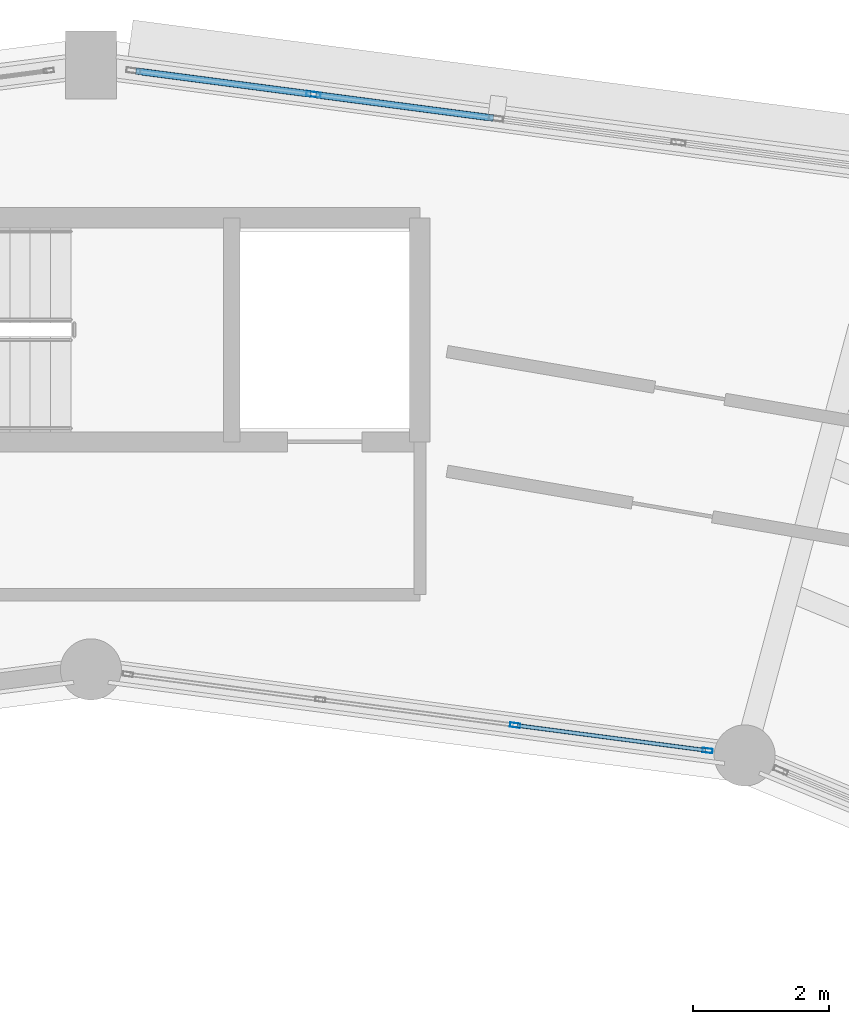
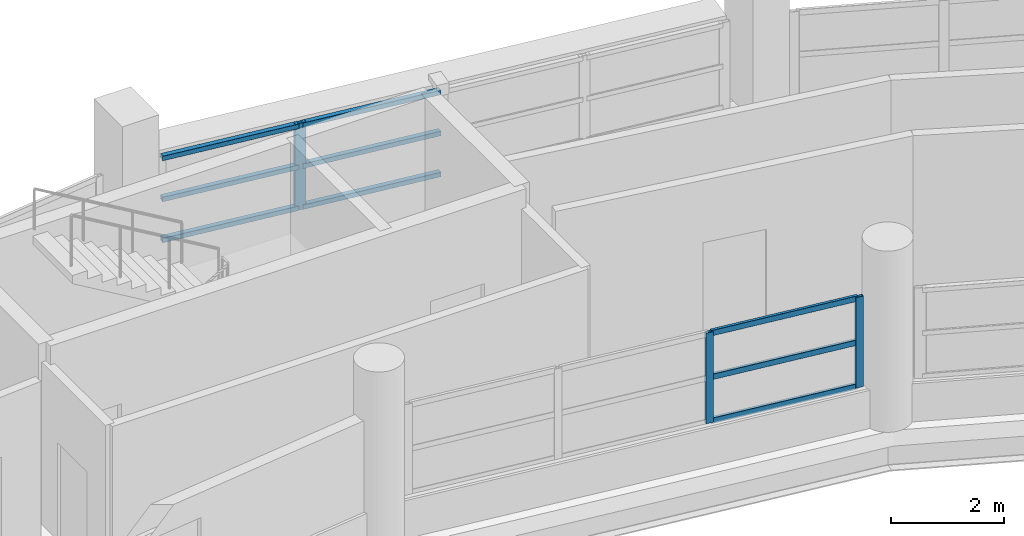
# One storey, part 57 of 121: 12 members, 2 elements without a shape of their own.
"""IFC4 building model written with IfcOpenShell, lengths in metres."""

from ifc_helpers import new_model, si_unit, direction, frame, origin, origin_2d, place, context, subcontext, project, spatial, hollow_rectangle, extrude, material, layer, layer_set, material_profile, profile_set, type_object, element, aggregate, save


model = new_model("IFC4")

# Units and contexts
model_context = context("Model", 3, precision=1e-05, world=origin(), true_north=direction((0.0, 1.0)))
body_context = subcontext(model_context, "Body", "Model", "MODEL_VIEW")
ifc_project = project(units=[si_unit("LENGTHUNIT", "METRE"), si_unit("AREAUNIT", "SQUARE_METRE"), si_unit("VOLUMEUNIT", "CUBIC_METRE"), si_unit("PLANEANGLEUNIT", "RADIAN"), si_unit("MASSUNIT", "GRAM", prefix="KILO")], contexts=[model_context])

# Site, building, storey
site_placement = place(None, origin())
site = spatial("IfcSite", under=ifc_project, at=site_placement, CompositionType="ELEMENT")
building_placement = place(site_placement, origin())
building = spatial("IfcBuilding", under=site, at=building_placement, Name="Vespera Passage Community Centre", CompositionType="ELEMENT")
storey_placement = place(building_placement, frame((0.0, 0.0, 8.699951171875)))
storey = spatial("IfcBuildingStorey", under=building, at=storey_placement, Name="L02", CompositionType="ELEMENT", Elevation=8.699951171875)

# Curtain wall, members
ifc_material_1 = material(Name="Anodized aluminium 6063-T6", Category="aluminium")
ifc_layer_1 = layer(ifc_material_1, 0.159912109375)
ifc_layer_set_1 = layer_set([ifc_layer_1], Name="Anodized aluminium 6063-T6")
curtain_wall_type_1 = type_object("IfcCurtainWallType", Name="CW-27E", PredefinedType="NOTDEFINED", material=ifc_layer_set_1)
curtain_wall_1_placement = place(storey_placement, origin())
curtain_wall_1 = element("IfcCurtainWall", 1, at=curtain_wall_1_placement, inside=storey, type_object=curtain_wall_type_1, Name="V4 L02 Inner Court Curtain Wall 5", PredefinedType="NOTDEFINED")
ifc_material_2 = material(Name="Anodized aluminium 6063-T6", Category="aluminium")
ifc_material_profile_1 = material_profile(ifc_material_2, hollow_rectangle(XDim=0.06494140625, YDim=0.14990234375, WallThickness=0.00390625, InnerFilletRadius=0.001953125, OuterFilletRadius=0.00390625, at=origin_2d()), Name="ALU150X65X4")
ifc_profile_set_1 = profile_set([ifc_material_profile_1], Name="Anodized aluminium 6063-T6")
member_type_1 = type_object("IfcMemberType", Name="MB-CWM-150E", PredefinedType="MULLION", material=ifc_profile_set_1)
member_1_placement = place(storey_placement, frame((87.082763671875, 101.504150390625, 0.820068359375), z_axis=(0.0, 0.0, 1.0), x_axis=(-0.1305221941, -0.991445387728, 0.0)))
member_1 = element("IfcMember", 2, at=member_1_placement, type_object=member_type_1, Name="CW-27E mullion 1", PredefinedType="MULLION", context=body_context, shape_type="SweptSolid", body=[
    extrude(hollow_rectangle(XDim=0.06494140625, YDim=0.14990234375, WallThickness=0.00390625, InnerFilletRadius=0.001953125, OuterFilletRadius=0.00390625, at=origin_2d()), origin(), (0.0, 0.0, 1.0), 1.949462890625),
])
member_2_placement = place(storey_placement, frame((84.24755859375, 101.87744140625, 0.820068359375), z_axis=(0.0, 0.0, 1.0), x_axis=(-0.1305221941, -0.991445387728, 0.0)))
member_2 = element("IfcMember", 3, at=member_2_placement, type_object=member_type_1, Name="CW-27E mullion 2", PredefinedType="MULLION", context=body_context, shape_type="SweptSolid", body=[
    extrude(hollow_rectangle(XDim=0.06494140625, YDim=0.14990234375, WallThickness=0.00390625, InnerFilletRadius=0.001953125, OuterFilletRadius=0.00390625, at=origin_2d()), origin(), (0.0, 0.0, 1.0), 1.949462890625),
])

ifc_material_3 = material(Name="Anodized aluminium 6063-T6", Category="aluminium")
ifc_layer_2 = layer(ifc_material_3, 0.159912109375)
ifc_layer_set_2 = layer_set([ifc_layer_2], Name="Anodized aluminium 6063-T6")
curtain_wall_type_2 = type_object("IfcCurtainWallType", Name="CW-26E", PredefinedType="NOTDEFINED", material=ifc_layer_set_2)
curtain_wall_2_placement = place(storey_placement, origin())
curtain_wall_2 = element("IfcCurtainWall", 4, at=curtain_wall_2_placement, inside=storey, type_object=curtain_wall_type_2, Name="V4 L02 Outer Ribbon Curtain Wall 5", PredefinedType="NOTDEFINED")
ifc_material_4 = material(Name="Anodized aluminium 6063-T6", Category="aluminium")
ifc_material_profile_2 = material_profile(ifc_material_4, hollow_rectangle(XDim=0.074951171875, YDim=0.2099609375, WallThickness=0.0048828125, InnerFilletRadius=0.00244140625, OuterFilletRadius=0.0048828125, at=origin_2d()), Name="ALU210X75X5")
ifc_profile_set_2 = profile_set([ifc_material_profile_2], Name="Anodized aluminium 6063-T6")
member_type_2 = type_object("IfcMemberType", Name="MB-CWM-210E", PredefinedType="MULLION", material=ifc_profile_set_2)
member_3_placement = place(storey_placement, frame((81.277099609375, 111.168701171875, 0.820068359375), z_axis=(0.0, 0.0, 1.0), x_axis=(0.130530818696, 0.991444252276, 0.0)))
member_3 = element("IfcMember", 5, at=member_3_placement, type_object=member_type_2, Name="CW-26E mullion 2", PredefinedType="MULLION", context=body_context, shape_type="SweptSolid", body=[
    extrude(hollow_rectangle(XDim=0.074951171875, YDim=0.2099609375, WallThickness=0.0048828125, InnerFilletRadius=0.00244140625, OuterFilletRadius=0.0048828125, at=origin_2d()), origin(), (0.0, 0.0, 1.0), 1.865478515625),
])
ifc_material_5 = material(Name="Anodized aluminium 6063-T6", Category="aluminium")
ifc_material_profile_3 = material_profile(ifc_material_5, hollow_rectangle(XDim=0.10009765625, YDim=0.10009765625, WallThickness=0.00390625, InnerFilletRadius=0.001953125, OuterFilletRadius=0.00390625, at=origin_2d()), Name="ALU100X100X4")
ifc_profile_set_3 = profile_set([ifc_material_profile_3], Name="Anodized aluminium 6063-T6")
member_type_3 = type_object("IfcMemberType", Name="MB-CWT-100E", PredefinedType="USERDEFINED", material=ifc_profile_set_3)
member_4_placement = place(storey_placement, frame((78.66259765625, 111.5126953125, 0.8701171875), z_axis=(0.991453656162, -0.13045937177, 0.0), x_axis=(0.13045937177, 0.991453656162, 0.0)))
member_4 = element("IfcMember", 6, at=member_4_placement, type_object=member_type_3, Name="CW-26E transom 1.1", ObjectType="TRANSOM", PredefinedType="USERDEFINED", context=body_context, shape_type="SweptSolid", body=[
    extrude(hollow_rectangle(XDim=0.10009765625, YDim=0.10009765625, WallThickness=0.00390625, InnerFilletRadius=0.001953125, OuterFilletRadius=0.00390625, at=origin_2d()), origin(), (0.0, 0.0, 1.0), 2.599365234375),
])
member_5_placement = place(storey_placement, frame((78.66259765625, 111.5126953125, 1.7529296875), z_axis=(0.991453656162, -0.13045937177, 0.0), x_axis=(0.13045937177, 0.991453656162, 0.0)))
member_5 = element("IfcMember", 7, at=member_5_placement, type_object=member_type_3, Name="CW-26E transom 1.2", ObjectType="TRANSOM", PredefinedType="USERDEFINED", context=body_context, shape_type="SweptSolid", body=[
    extrude(hollow_rectangle(XDim=0.10009765625, YDim=0.10009765625, WallThickness=0.00390625, InnerFilletRadius=0.001953125, OuterFilletRadius=0.00390625, at=origin_2d()), origin(), (0.0, 0.0, 1.0), 2.599365234375),
])
member_6_placement = place(storey_placement, frame((78.66259765625, 111.5126953125, 2.6357421875), z_axis=(0.991453656162, -0.13045937177, 0.0), x_axis=(0.13045937177, 0.991453656162, 0.0)))
member_6 = element("IfcMember", 8, at=member_6_placement, type_object=member_type_3, Name="CW-26E transom 1.3", ObjectType="TRANSOM", PredefinedType="USERDEFINED", context=body_context, shape_type="SweptSolid", body=[
    extrude(hollow_rectangle(XDim=0.10009765625, YDim=0.10009765625, WallThickness=0.00390625, InnerFilletRadius=0.001953125, OuterFilletRadius=0.00390625, at=origin_2d()), origin(), (0.0, 0.0, 1.0), 2.599365234375),
])
member_7_placement = place(storey_placement, frame((81.314208984375, 111.163818359375, 0.8701171875), z_axis=(0.991443263023, -0.130538332324, 0.0), x_axis=(0.130538332324, 0.991443263023, 0.0)))
member_7 = element("IfcMember", 9, at=member_7_placement, type_object=member_type_3, Name="CW-26E transom 2.1", ObjectType="TRANSOM", PredefinedType="USERDEFINED", context=body_context, shape_type="SweptSolid", body=[
    extrude(hollow_rectangle(XDim=0.10009765625, YDim=0.10009765625, WallThickness=0.00390625, InnerFilletRadius=0.001953125, OuterFilletRadius=0.00390625, at=origin_2d()), origin(), (0.0, 0.0, 1.0), 2.636962890625),
])
member_8_placement = place(storey_placement, frame((81.314208984375, 111.163818359375, 1.7529296875), z_axis=(0.991443263023, -0.130538332324, 0.0), x_axis=(0.130538332324, 0.991443263023, 0.0)))
member_8 = element("IfcMember", 10, at=member_8_placement, type_object=member_type_3, Name="CW-26E transom 2.2", ObjectType="TRANSOM", PredefinedType="USERDEFINED", context=body_context, shape_type="SweptSolid", body=[
    extrude(hollow_rectangle(XDim=0.10009765625, YDim=0.10009765625, WallThickness=0.00390625, InnerFilletRadius=0.001953125, OuterFilletRadius=0.00390625, at=origin_2d()), origin(), (0.0, 0.0, 1.0), 2.636962890625),
])
member_9_placement = place(storey_placement, frame((81.314208984375, 111.163818359375, 2.6357421875), z_axis=(0.991443263023, -0.130538332324, 0.0), x_axis=(0.130538332324, 0.991443263023, 0.0)))
member_9 = element("IfcMember", 11, at=member_9_placement, type_object=member_type_3, Name="CW-26E transom 2.3", ObjectType="TRANSOM", PredefinedType="USERDEFINED", context=body_context, shape_type="SweptSolid", body=[
    extrude(hollow_rectangle(XDim=0.10009765625, YDim=0.10009765625, WallThickness=0.00390625, InnerFilletRadius=0.001953125, OuterFilletRadius=0.00390625, at=origin_2d()), origin(), (0.0, 0.0, 1.0), 2.636962890625),
])
aggregate(curtain_wall_2, [member_3, member_4, member_5, member_6, member_7, member_8, member_9])

# Member
ifc_material_6 = material(Name="Anodized aluminium 6063-T6", Category="aluminium")
ifc_material_profile_4 = material_profile(ifc_material_6, hollow_rectangle(XDim=0.06005859375, YDim=0.1201171875, WallThickness=0.00390625, InnerFilletRadius=0.001953125, OuterFilletRadius=0.00390625, at=origin_2d()), Name="ALU120X60X4")
ifc_profile_set_4 = profile_set([ifc_material_profile_4], Name="Anodized aluminium 6063-T6")
member_type_4 = type_object("IfcMemberType", Name="MB-CWT-120E", PredefinedType="USERDEFINED", material=ifc_profile_set_4)
member_10_placement = place(storey_placement, frame((87.050537109375, 101.508544921875, 0.85009765625), z_axis=(-0.991446265366, 0.130515527399, 0.0), x_axis=(-0.130515527399, -0.991446265366, 0.0)))
member_10 = element("IfcMember", 12, at=member_10_placement, type_object=member_type_4, Name="CW-27E transom 1.1", ObjectType="TRANSOM", PredefinedType="USERDEFINED", context=body_context, shape_type="SweptSolid", body=[
    extrude(hollow_rectangle(XDim=0.06005859375, YDim=0.1201171875, WallThickness=0.00390625, InnerFilletRadius=0.001953125, OuterFilletRadius=0.00390625, at=origin_2d()), origin(), (0.0, 0.0, 1.0), 2.794677734375),
])

member_11_placement = place(storey_placement, frame((87.050537109375, 101.508544921875, 1.794677734375), z_axis=(-0.991446265366, 0.130515527399, 0.0), x_axis=(-0.130515527399, -0.991446265366, 0.0)))
member_11 = element("IfcMember", 13, at=member_11_placement, type_object=member_type_4, Name="CW-27E transom 1.2", ObjectType="TRANSOM", PredefinedType="USERDEFINED", context=body_context, shape_type="SweptSolid", body=[
    extrude(hollow_rectangle(XDim=0.06005859375, YDim=0.1201171875, WallThickness=0.00390625, InnerFilletRadius=0.001953125, OuterFilletRadius=0.00390625, at=origin_2d()), origin(), (0.0, 0.0, 1.0), 2.794677734375),
])

member_12_placement = place(storey_placement, frame((87.050537109375, 101.508544921875, 2.739501953125), z_axis=(-0.991446265366, 0.130515527399, 0.0), x_axis=(-0.130515527399, -0.991446265366, 0.0)))
member_12 = element("IfcMember", 14, at=member_12_placement, type_object=member_type_4, Name="CW-27E transom 1.3", ObjectType="TRANSOM", PredefinedType="USERDEFINED", context=body_context, shape_type="SweptSolid", body=[
    extrude(hollow_rectangle(XDim=0.06005859375, YDim=0.1201171875, WallThickness=0.00390625, InnerFilletRadius=0.001953125, OuterFilletRadius=0.00390625, at=origin_2d()), origin(), (0.0, 0.0, 1.0), 2.794677734375),
])

aggregate(curtain_wall_1, [member_1, member_2, member_10, member_11, member_12])

save(model, "model.ifc")
